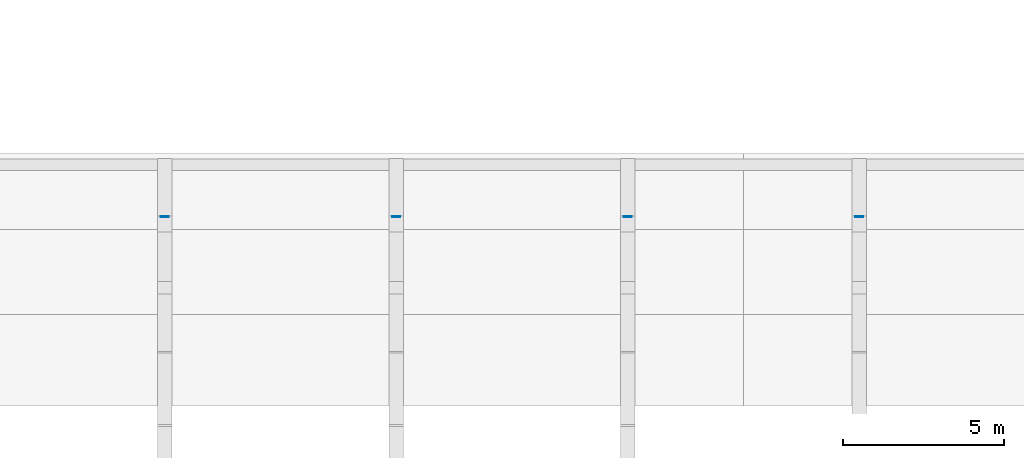
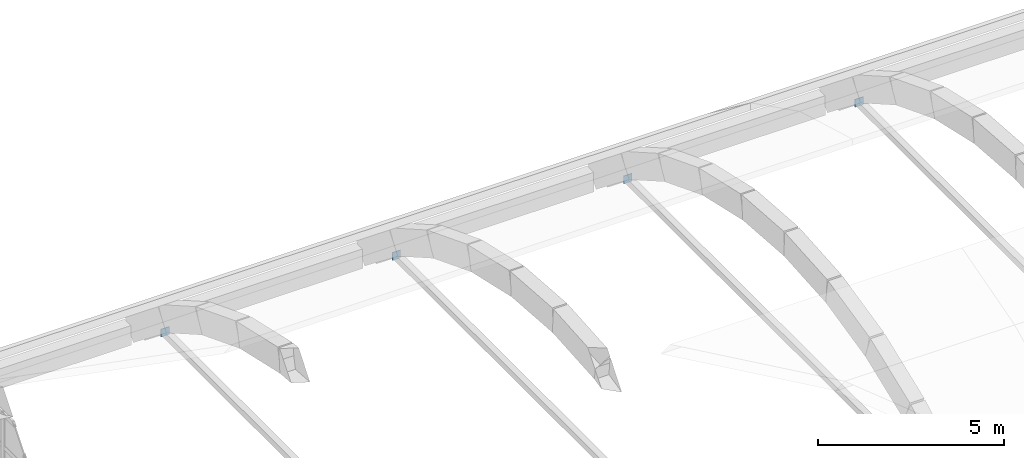
# One storey, part 55 of 73: 4 discrete accessories.
"""IFC4 building model written with IfcOpenShell, lengths in metres."""

from ifc_helpers import new_model, si_unit, derived_unit, direction, frame, origin, origin_2d, place, context, subcontext, project, spatial, rectangle, extrude, material, type_object, element, save


model = new_model("IFC4")

# Units and contexts
model_context = context("Model", 3, precision=1e-05, world=origin(), true_north=direction((0.0, 1.0)))
body_context = subcontext(model_context, "Body", "Model", "MODEL_VIEW")
ifc_project = project(units=[si_unit("LENGTHUNIT", "METRE"), si_unit("AREAUNIT", "SQUARE_METRE"), si_unit("VOLUMEUNIT", "CUBIC_METRE"), si_unit("PLANEANGLEUNIT", "RADIAN"), si_unit("MASSUNIT", "GRAM", prefix="KILO"), derived_unit("THERMALTRANSMITTANCEUNIT", [(si_unit("MASSUNIT", "GRAM", prefix="KILO"), 1), (si_unit("TIMEUNIT", "SECOND"), -3), (si_unit("THERMODYNAMICTEMPERATUREUNIT", "KELVIN"), -1)])], contexts=[model_context])

# Site, building, storey
site_placement = place(None, origin())
site = spatial("IfcSite", under=ifc_project, at=site_placement, CompositionType="ELEMENT")
building_placement = place(site_placement, origin())
building = spatial("IfcBuilding", under=site, at=building_placement, Name="Ochrekiln Boulevard Commons", CompositionType="ELEMENT")
storey_placement = place(building_placement, frame((0.0, 0.0, 8.574951171875)))
storey = spatial("IfcBuildingStorey", under=building, at=storey_placement, Name="L02", CompositionType="ELEMENT", Elevation=8.574951171875)

# Discrete accessories
ifc_material = material(Name="Steel A992 Grade 50", Category="steel")
discrete_accessory_type = type_object("IfcDiscreteAccessoryType", Name="ACC-GUS-PLATE", PredefinedType="BRACKET", material=ifc_material)
for number, where, z_axis, x_axis, name in (
    (1, (64.800048828125, 55.6298828125, 0.19482421875), (0.0, 0.0, 1.0), (1.0, 0.0, 0.0), "Vault Tie Rod 2N 20 mm Seal End-Cap Connection Plate"),
    (2, (72.0, 55.6298828125, 0.19482421875), (0.0, 0.0, 1.0), (1.0, 0.0, 0.0), "Vault Tie Rod 3N 20 mm Seal End-Cap Connection Plate"),
    (3, (79.199951171875, 55.6298828125, 0.19482421875), (0.0, 0.0, 1.0), (1.0, 0.0, 0.0), "Vault Tie Rod 4N 20 mm Seal End-Cap Connection Plate"),
    (4, (86.39990234375, 55.6298828125, 0.19482421875), (0.0, 0.0, 1.0), (1.0, 0.0, 0.0), "Vault Tie Rod 5N 20 mm Seal End-Cap Connection Plate"),
):
    element("IfcDiscreteAccessory", number, at=place(storey_placement, frame(where, z_axis=z_axis, x_axis=x_axis)), inside=storey, type_object=discrete_accessory_type, Name=name, PredefinedType="BRACKET", context=body_context, shape_type="SweptSolid", body=[
        extrude(rectangle(XDim=0.260009765625, YDim=0.02001953125, at=origin_2d()), origin(), (0.0, 0.0, 1.0), 0.260009765625),
    ])

save(model, "model.ifc")
